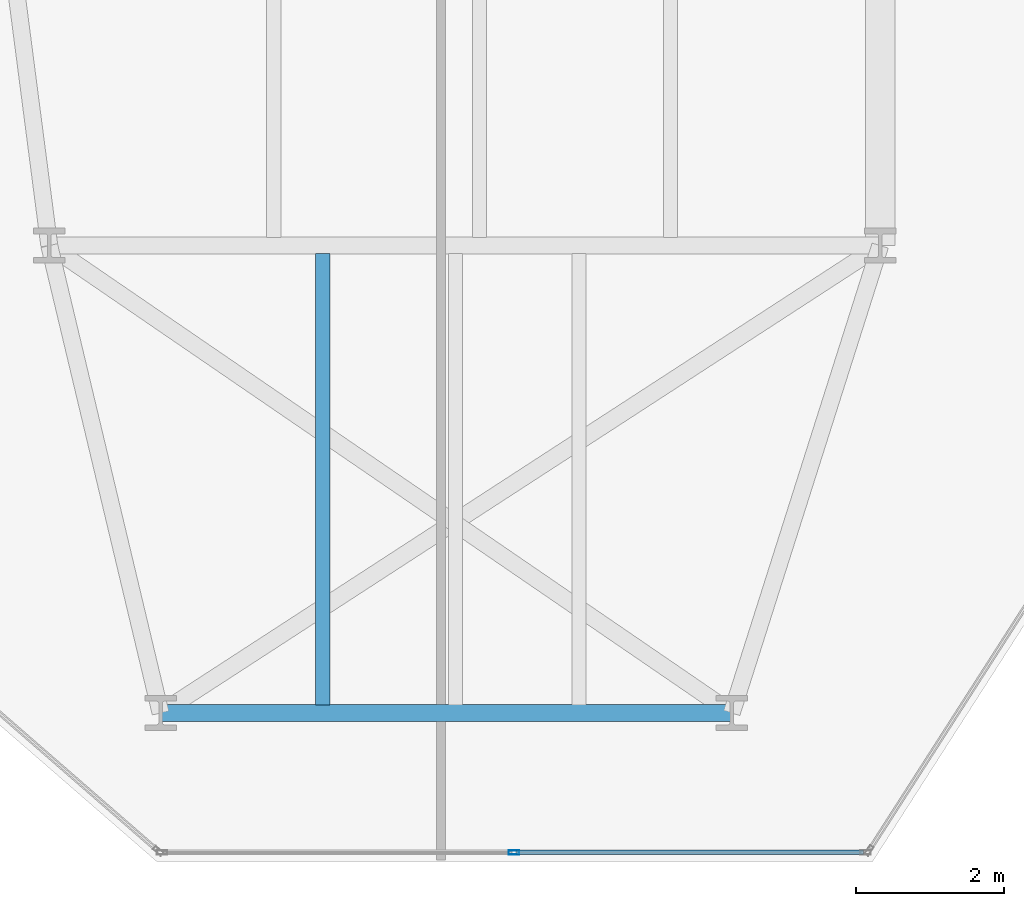
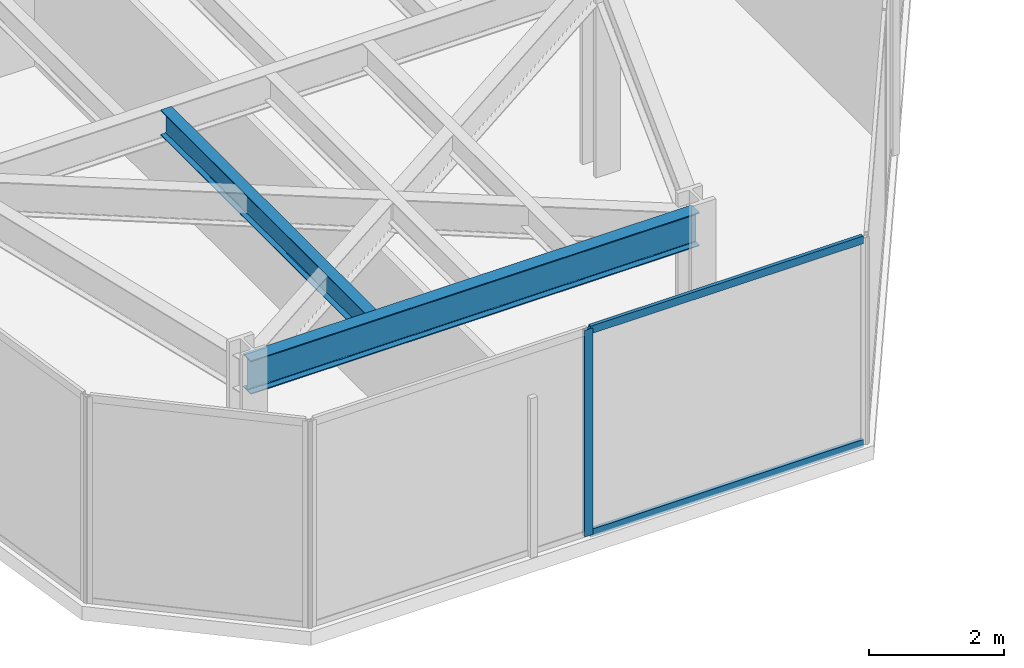
# One storey, part 3 of 26: 3 members, 2 beams, 1 element without a shape of its own.
"""IFC4 building model written with IfcOpenShell, lengths in metres."""

from ifc_helpers import new_model, si_unit, direction, frame, origin, origin_2d, place, context, subcontext, project, spatial, hollow_rectangle, i_section, extrude, material, layer, layer_set, material_profile, profile_set, type_object, element, aggregate, save


model = new_model("IFC4")

# Units and contexts
model_context = context("Model", 3, precision=1e-05, world=origin(), true_north=direction((0.0, 1.0)))
body_context = subcontext(model_context, "Body", "Model", "MODEL_VIEW")
ifc_project = project(units=[si_unit("LENGTHUNIT", "METRE"), si_unit("AREAUNIT", "SQUARE_METRE"), si_unit("VOLUMEUNIT", "CUBIC_METRE"), si_unit("PLANEANGLEUNIT", "RADIAN"), si_unit("MASSUNIT", "GRAM", prefix="KILO")], contexts=[model_context])

# Site, building, storey
site_placement = place(None, origin())
site = spatial("IfcSite", under=ifc_project, at=site_placement, CompositionType="ELEMENT")
building_placement = place(site_placement, origin())
building = spatial("IfcBuilding", under=site, at=building_placement, Name="Kravanh Interchange Tower", CompositionType="ELEMENT")
storey_placement = place(building_placement, frame((0.0, 0.0, 100.0)))
storey = spatial("IfcBuildingStorey", under=building, at=storey_placement, Name="L23", CompositionType="ELEMENT", Elevation=100.0)

# Curtain wall, members
ifc_material_1 = material(Name="Anodised Bronze Aluminium", Category="aluminium")
ifc_layer = layer(ifc_material_1, 0.179931640625)
ifc_layer_set = layer_set([ifc_layer], Name="Unitised Curtain Wall System CW-Z2 Mid Office")
curtain_wall_type = type_object("IfcCurtainWallType", Name="Unitised Curtain Wall System CW-Z2 Mid Office", PredefinedType="NOTDEFINED", material=ifc_layer_set)
curtain_wall_placement = place(storey_placement, origin())
curtain_wall = element("IfcCurtainWall", 1, at=curtain_wall_placement, inside=storey, type_object=curtain_wall_type, Name="L23 Unitised Curtain Wall CW-L23-06", PredefinedType="NOTDEFINED")
ifc_material_2 = material(Name="Anodised Bronze Aluminium", Category="aluminium")
ifc_material_profile_1 = material_profile(ifc_material_2, hollow_rectangle(XDim=0.06005859375, YDim=0.139892578125, WallThickness=0.00390625, at=origin_2d()), Name="ALU60X140X4")
ifc_profile_set_1 = profile_set([ifc_material_profile_1], Name="Anodised Bronze Aluminium")
member_type_1 = type_object("IfcMemberType", Name="Curtain Wall Mullion ALU60X140X4 Bronze", PredefinedType="MULLION", material=ifc_profile_set_1)
member_1_placement = place(storey_placement, frame((22.26220703125, 6.320068359375, 0.0), z_axis=(0.0, 0.0, 1.0), x_axis=(0.0, -1.0, 0.0)))
member_1 = element("IfcMember", 2, at=member_1_placement, type_object=member_type_1, Name="CW-Z2 mullion 2", PredefinedType="MULLION", context=body_context, shape_type="SweptSolid", body=[
    extrude(hollow_rectangle(XDim=0.06005859375, YDim=0.139892578125, WallThickness=0.00390625, at=origin_2d()), origin(), (0.0, 0.0, 1.0), 3.75),
])
ifc_material_3 = material(Name="Anodised Bronze Aluminium", Category="aluminium")
ifc_material_profile_2 = material_profile(ifc_material_3, hollow_rectangle(XDim=0.06005859375, YDim=0.139892578125, WallThickness=0.00390625, at=origin_2d()), Name="ALU60X140X4")
ifc_profile_set_2 = profile_set([ifc_material_profile_2], Name="Anodised Bronze Aluminium")
member_type_2 = type_object("IfcMemberType", Name="Curtain Wall Transom ALU60X140X4 Bronze", PredefinedType="USERDEFINED", material=ifc_profile_set_2)
member_2_placement = place(storey_placement, frame((26.974365234375, 6.320068359375, 0.030029296875), z_axis=(-1.0, 0.0, 0.0), x_axis=(0.0, -1.0, 0.0)))
member_2 = element("IfcMember", 3, at=member_2_placement, type_object=member_type_2, Name="CW-Z2 transom 1.1", ObjectType="TRANSOM", PredefinedType="USERDEFINED", context=body_context, shape_type="SweptSolid", body=[
    extrude(hollow_rectangle(XDim=0.06005859375, YDim=0.139892578125, WallThickness=0.00390625, at=origin_2d()), origin(), (0.0, 0.0, 1.0), 4.682373046875),
])
member_3_placement = place(storey_placement, frame((26.974365234375, 6.320068359375, 3.719970703125), z_axis=(-1.0, 0.0, 0.0), x_axis=(0.0, -1.0, 0.0)))
member_3 = element("IfcMember", 4, at=member_3_placement, type_object=member_type_2, Name="CW-Z2 transom 1.2", ObjectType="TRANSOM", PredefinedType="USERDEFINED", context=body_context, shape_type="SweptSolid", body=[
    extrude(hollow_rectangle(XDim=0.06005859375, YDim=0.139892578125, WallThickness=0.00390625, at=origin_2d()), origin(), (0.0, 0.0, 1.0), 4.682373046875),
])
aggregate(curtain_wall, [member_1, member_2, member_3])

# Beams
ifc_material_4 = material(Name="Structural Steel S355", Category="steel")
ifc_material_profile_3 = material_profile(ifc_material_4, i_section(OverallWidth=0.18994140625, OverallDepth=0.45703125, WebThickness=0.009033203125, FlangeThickness=0.014404296875, FilletRadius=0.01806640625, at=origin_2d()), Name="W18X50")
ifc_profile_set_3 = profile_set([ifc_material_profile_3], Name="Structural Steel S355")
beam_type_1 = type_object("IfcBeamType", Name="Floor Joist W18X50 Structural Steel S355", PredefinedType="JOIST", material=ifc_profile_set_3)
beam_1_placement = place(storey_placement, frame((19.68603515625, 8.30908203125, 3.521484375), z_axis=(0.0, 1.0, 0.0), x_axis=(-1.0, 0.0, 0.0)))
element("IfcBeam", 5, at=beam_1_placement, inside=storey, type_object=beam_type_1, Name="L23 Secondary Floor Joist 1", PredefinedType="JOIST", context=body_context, shape_type="SweptSolid", body=[
    extrude(i_section(OverallWidth=0.18994140625, OverallDepth=0.45703125, WebThickness=0.009033203125, FlangeThickness=0.014404296875, FilletRadius=0.01806640625, at=origin_2d()), origin(), (0.0, 0.0, 1.0), 6.08203125),
])
ifc_material_5 = material(Name="Structural Steel S355", Category="steel")
ifc_material_profile_4 = material_profile(ifc_material_5, i_section(OverallWidth=0.22802734375, OverallDepth=0.60791015625, WebThickness=0.01123046875, FlangeThickness=0.017333984375, FilletRadius=0.02197265625, at=origin_2d()), Name="W24X76")
ifc_profile_set_4 = profile_set([ifc_material_profile_4], Name="Structural Steel S355")
beam_type_2 = type_object("IfcBeamType", Name="Floor Spandrel W24X76 Structural Steel S355", PredefinedType="SPANDREL", material=ifc_profile_set_4)
beam_2_placement = place(storey_placement, frame((17.5, 8.199951171875, 3.446044921875), z_axis=(1.0, 0.0, 0.0), x_axis=(0.0, 1.0, 0.0)))
element("IfcBeam", 6, at=beam_2_placement, inside=storey, type_object=beam_type_2, Name="L23 Perimeter Spandrel 35", PredefinedType="SPANDREL", context=body_context, shape_type="SweptSolid", body=[
    extrude(i_section(OverallWidth=0.22802734375, OverallDepth=0.60791015625, WebThickness=0.01123046875, FlangeThickness=0.017333984375, FilletRadius=0.02197265625, at=origin_2d()), origin(), (0.0, 0.0, 1.0), 7.699951171875),
])

save(model, "model.ifc")
